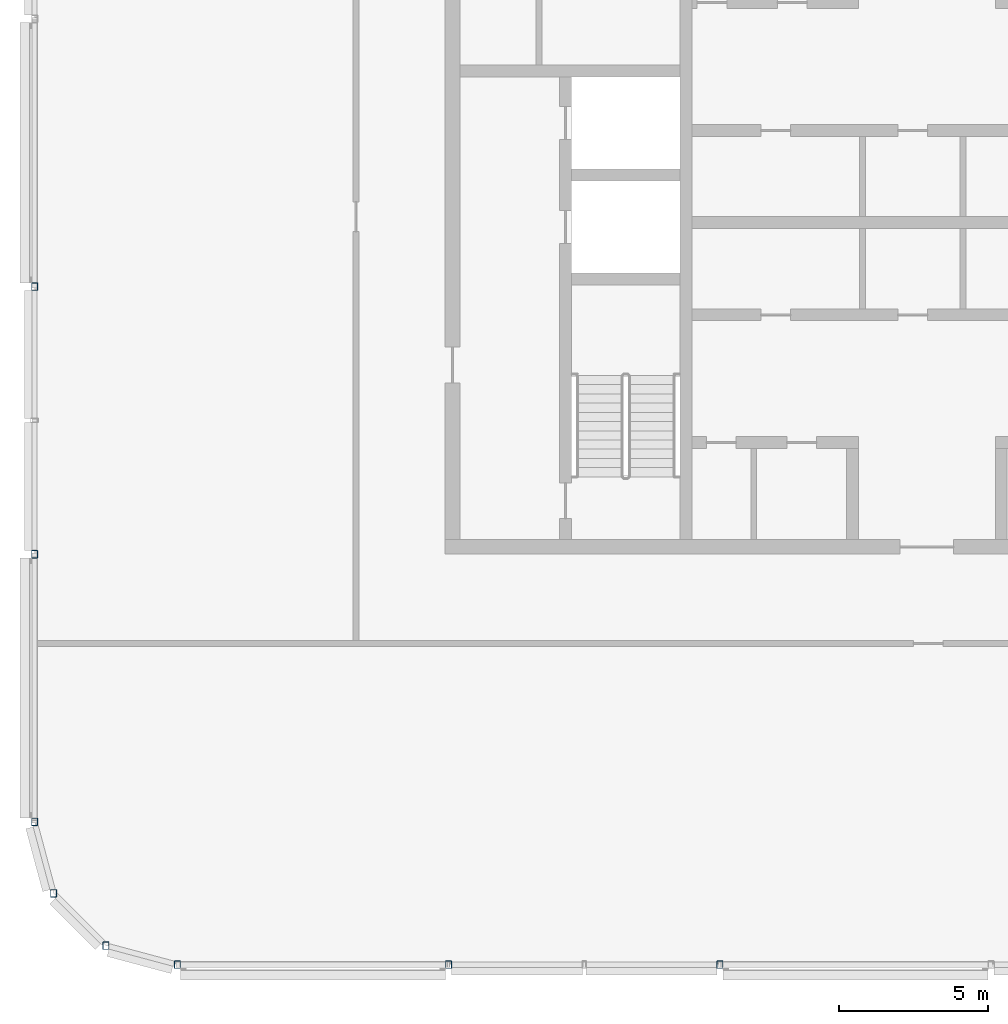
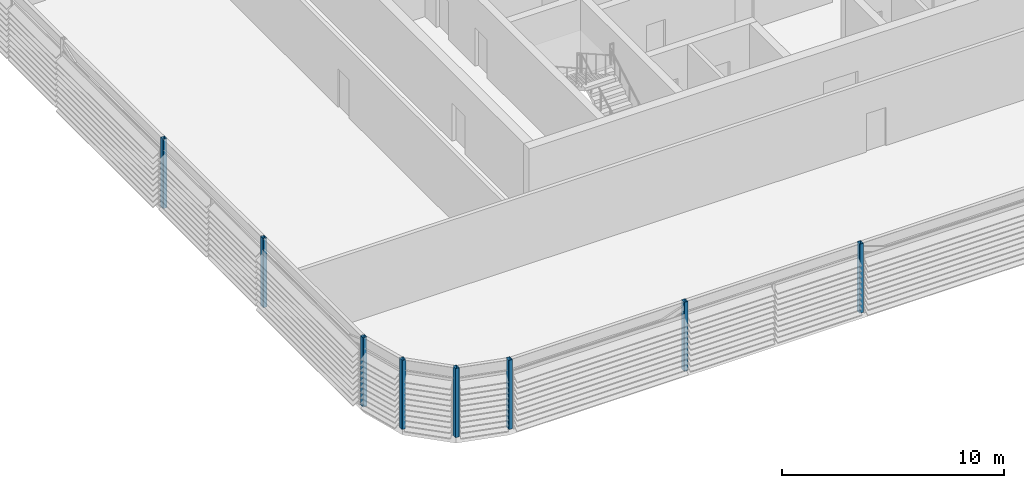
# One storey, part 1 of 28: 8 columns.
"""IFC4 building model written with IfcOpenShell, lengths in metres."""

from ifc_helpers import new_model, si_unit, direction, frame, origin, origin_2d, place, context, subcontext, project, spatial, hollow_rectangle, extrude, material, material_profile, profile_set, type_object, element, save


model = new_model("IFC4")

# Units and contexts
model_context = context("Model", 3, precision=1e-05, world=origin(), true_north=direction((0.0, 1.0)))
body_context = subcontext(model_context, "Body", "Model", "MODEL_VIEW")
ifc_project = project(units=[si_unit("LENGTHUNIT", "METRE"), si_unit("AREAUNIT", "SQUARE_METRE"), si_unit("VOLUMEUNIT", "CUBIC_METRE"), si_unit("PLANEANGLEUNIT", "RADIAN"), si_unit("MASSUNIT", "GRAM", prefix="KILO")], contexts=[model_context])

# Site, building, storey
site_placement = place(None, origin())
site = spatial("IfcSite", under=ifc_project, at=site_placement, CompositionType="ELEMENT")
building_placement = place(site_placement, origin())
building = spatial("IfcBuilding", under=site, at=building_placement, Name="Madar Terraces", CompositionType="ELEMENT")
storey_placement = place(building_placement, frame((0.0, 0.0, 305.89990234375)))
storey = spatial("IfcBuildingStorey", under=building, at=storey_placement, Name="L79", CompositionType="ELEMENT", Elevation=305.89990234375)

# Columns
ifc_material = material(Name="Steel ASTM A500 Grade C", Category="steel")
ifc_material_profile = material_profile(ifc_material, hollow_rectangle(XDim=0.203125, YDim=0.25390625, WallThickness=0.009521484375, InnerFilletRadius=0.00439453125, OuterFilletRadius=0.01318359375, at=origin_2d()), Name="HSS10x8x.375")
ifc_profile_set = profile_set([ifc_material_profile], Name="Steel ASTM A500 Grade C")
column_type = type_object("IfcColumnType", Name="CF1 HSS10x8x.375", PredefinedType="COLUMN", material=ifc_profile_set)
for number, where, z_axis, x_axis, name in (
    (1, (6.0, 1.199951171875, 0.0), (0.0, 0.0, 1.0), (1.0, 0.0, 0.0), "Crown frame column CF1"),
    (2, (15.1201171875, 1.199951171875, 0.0), (0.0, 0.0, 1.0), (1.0, 0.0, 0.0), "Crown frame column CF1"),
    (3, (24.239990234375, 1.199951171875, 0.0), (0.0, 0.0, 1.0), (1.0, 0.0, 0.0), "Crown frame column CF1"),
    (4, (1.199951171875, 24.0, 0.0), (0.0, 0.0, 1.0), (1.0, 0.0, 0.0), "Crown frame column CF1"),
    (5, (1.199951171875, 15.0, 0.0), (0.0, 0.0, 1.0), (1.0, 0.0, 0.0), "Crown frame column CF1"),
    (6, (1.199951171875, 6.0, 0.0), (0.0, 0.0, 1.0), (1.0, 0.0, 0.0), "Crown frame column CF1"),
    (7, (1.843017578125, 3.60009765625, 0.0), (0.0, 0.0, 1.0), (1.0, 0.0, 0.0), "Crown frame column CF1"),
    (8, (3.60009765625, 1.843017578125, 0.0), (0.0, 0.0, 1.0), (1.0, 0.0, 0.0), "Crown frame column CF1"),
):
    element("IfcColumn", number, at=place(storey_placement, frame(where, z_axis=z_axis, x_axis=x_axis)), inside=storey, type_object=column_type, Name=name, PredefinedType="COLUMN", context=body_context, shape_type="SweptSolid", body=[
        extrude(hollow_rectangle(XDim=0.203125, YDim=0.25390625, WallThickness=0.009521484375, InnerFilletRadius=0.00439453125, OuterFilletRadius=0.01318359375, at=origin_2d()), origin(), (0.0, 0.0, 1.0), 3.800048828125),
    ])

save(model, "model.ifc")
